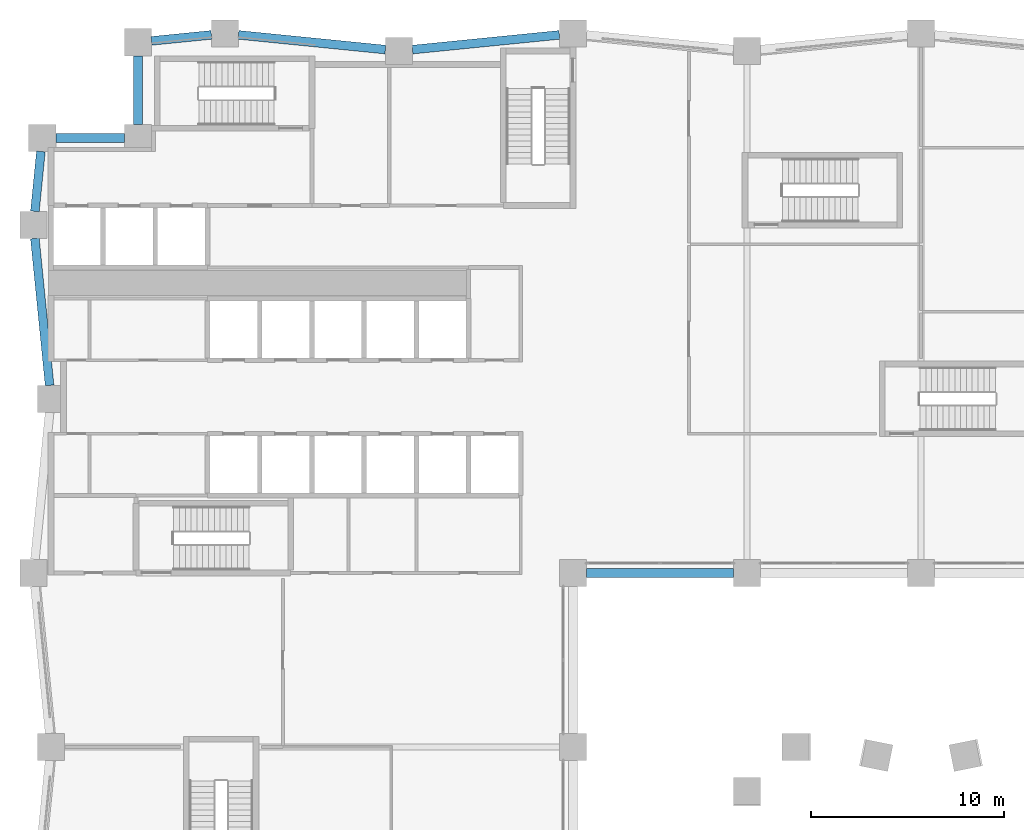
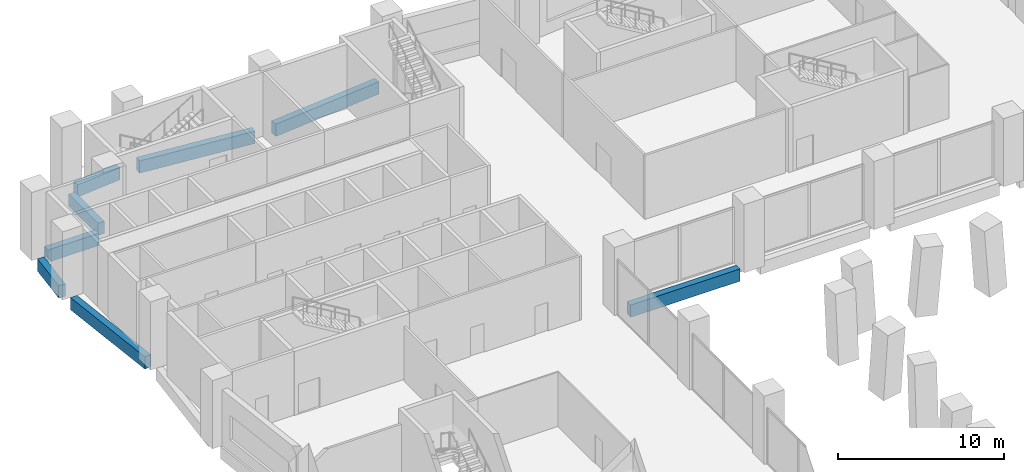
# One storey, part 5 of 17: 8 beams.
"""IFC4 building model written with IfcOpenShell, lengths in metres."""

from ifc_helpers import new_model, si_unit, direction, frame, origin, origin_2d, place, context, subcontext, project, spatial, rectangle, extrude, material, material_profile, profile_set, type_object, element, save


model = new_model("IFC4")

# Units and contexts
model_context = context("Model", 3, precision=1e-05, world=origin(), true_north=direction((0.0, 1.0)))
body_context = subcontext(model_context, "Body", "Model", "MODEL_VIEW")
ifc_project = project(units=[si_unit("LENGTHUNIT", "METRE"), si_unit("AREAUNIT", "SQUARE_METRE"), si_unit("VOLUMEUNIT", "CUBIC_METRE"), si_unit("PLANEANGLEUNIT", "RADIAN"), si_unit("MASSUNIT", "GRAM", prefix="KILO")], contexts=[model_context])

# Site, building, storey
site_placement = place(None, origin())
site = spatial("IfcSite", under=ifc_project, at=site_placement, CompositionType="ELEMENT")
building_placement = place(site_placement, origin())
building = spatial("IfcBuilding", under=site, at=building_placement, Name="Brondeck Convention Tower", CompositionType="ELEMENT")
storey_placement = place(building_placement, frame((0.0, 0.0, 14.5)))
storey = spatial("IfcBuildingStorey", under=building, at=storey_placement, Name="L02", CompositionType="ELEMENT", Elevation=14.5)

# Beams
ifc_material = material(Name="Concrete C80/95", Category="concrete")
ifc_material_profile = material_profile(ifc_material, rectangle(XDim=0.449951171875, YDim=0.89990234375, at=origin_2d()), Name="Edge beam 450x900 Concrete C80/95")
ifc_profile_set = profile_set([ifc_material_profile], Name="Concrete C80/95")
beam_type = type_object("IfcBeamType", Name="Edge beam 450x900 Concrete C80/95", PredefinedType="BEAM", material=ifc_profile_set)
beam_1_placement = place(storey_placement, frame((27.699951171875, 36.0, -0.449951171875), z_axis=(1.0, 0.0, 0.0), x_axis=(0.0, 1.0, 0.0)))
element("IfcBeam", 1, at=beam_1_placement, inside=storey, type_object=beam_type, Name="STR-SP-L02-009", PredefinedType="BEAM", context=body_context, shape_type="SweptSolid", body=[
    extrude(rectangle(XDim=0.449951171875, YDim=0.89990234375, at=origin_2d()), origin(), (0.0, 0.0, 1.0), 7.60009765625),
])
for number, where, z_axis, x_axis, name in (
    (2, (26.300048828125, 63.830078125, -0.449951171875), (-0.99503719021, -0.099503719021, 0.0), (0.099503719021, -0.99503719021, 0.0), "STR-SP-L02-025"),
    (3, (17.300048828125, 63.070068359375, -0.449951171875), (-0.99503719021, 0.099503719021, 0.0), (-0.099503719021, -0.99503719021, 0.0), "STR-SP-L02-026"),
):
    element("IfcBeam", number, at=place(storey_placement, frame(where, z_axis=z_axis, x_axis=x_axis)), inside=storey, type_object=beam_type, Name=name, PredefinedType="BEAM", context=body_context, shape_type="SweptSolid", body=[
        extrude(rectangle(XDim=0.449951171875, YDim=0.89990234375, at=origin_2d()), origin(), (0.0, 0.0, 1.0), 7.637939453125),
    ])
beam_2_placement = place(storey_placement, frame((8.300048828125, 63.830078125, -0.449951171875), z_axis=(-0.995035638374, -0.099519236158, 0.0), x_axis=(0.099519236158, -0.995035638374, 0.0)))
element("IfcBeam", 4, at=beam_2_placement, inside=storey, type_object=beam_type, Name="STR-SP-L02-027", PredefinedType="BEAM", context=body_context, shape_type="SweptSolid", body=[
    extrude(rectangle(XDim=0.449951171875, YDim=0.89990234375, at=origin_2d()), origin(), (0.0, 0.0, 1.0), 3.115478515625),
])
for number, where, z_axis, x_axis, name in (
    (5, (4.5, 62.75, -0.449951171875), (0.0, -1.0, 0.0), (1.0, 0.0, 0.0), "STR-SP-L02-028"),
    (6, (3.800048828125, 58.5, -0.449951171875), (-1.0, 0.0, 0.0), (0.0, -1.0, 0.0), "STR-SP-L02-029"),
):
    element("IfcBeam", number, at=place(storey_placement, frame(where, z_axis=z_axis, x_axis=x_axis)), inside=storey, type_object=beam_type, Name=name, PredefinedType="BEAM", context=body_context, shape_type="SweptSolid", body=[
        extrude(rectangle(XDim=0.449951171875, YDim=0.89990234375, at=origin_2d()), origin(), (0.0, 0.0, 1.0), 3.550048828125),
    ])
beam_3_placement = place(storey_placement, frame((-0.52001953125, 57.800048828125, -0.449951171875), z_axis=(-0.099519236158, -0.995035638374, 0.0), x_axis=(0.995035638374, -0.099519236158, 0.0)))
element("IfcBeam", 7, at=beam_3_placement, inside=storey, type_object=beam_type, Name="STR-SP-L02-030", PredefinedType="BEAM", context=body_context, shape_type="SweptSolid", body=[
    extrude(rectangle(XDim=0.449951171875, YDim=0.89990234375, at=origin_2d()), origin(), (0.0, 0.0, 1.0), 3.115478515625),
])
beam_4_placement = place(storey_placement, frame((-0.830078125, 53.300048828125, -0.449951171875), z_axis=(0.099503719021, -0.99503719021, 0.0), x_axis=(0.99503719021, 0.099503719021, 0.0)))
element("IfcBeam", 8, at=beam_4_placement, inside=storey, type_object=beam_type, Name="STR-SP-L02-031", PredefinedType="BEAM", context=body_context, shape_type="SweptSolid", body=[
    extrude(rectangle(XDim=0.449951171875, YDim=0.89990234375, at=origin_2d()), origin(), (0.0, 0.0, 1.0), 7.637939453125),
])

save(model, "model.ifc")
